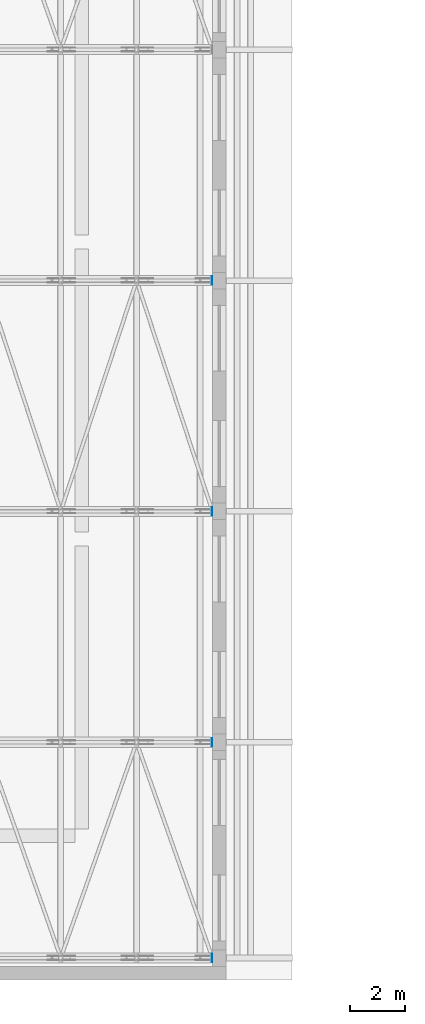
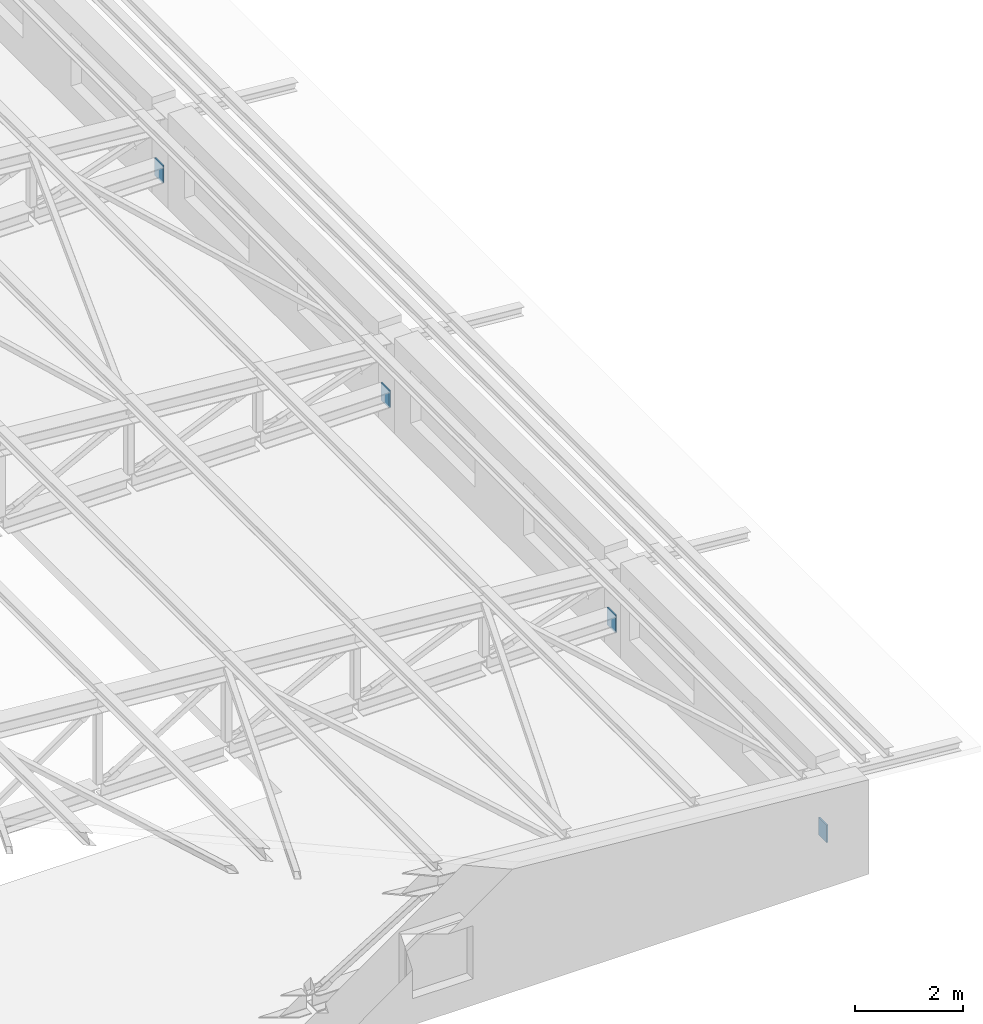
# One storey, part 36 of 60: 4 plates.
"""IFC4 building model written with IfcOpenShell, lengths in metres."""

from ifc_helpers import new_model, si_unit, direction, frame, origin, origin_2d, place, context, subcontext, project, spatial, rectangle, extrude, material, layer, layer_set, type_object, element, save


model = new_model("IFC4")

# Units and contexts
model_context = context("Model", 3, precision=1e-05, world=origin(), true_north=direction((0.0, 1.0)))
body_context = subcontext(model_context, "Body", "Model", "MODEL_VIEW")
ifc_project = project(units=[si_unit("LENGTHUNIT", "METRE"), si_unit("AREAUNIT", "SQUARE_METRE"), si_unit("VOLUMEUNIT", "CUBIC_METRE"), si_unit("PLANEANGLEUNIT", "RADIAN"), si_unit("MASSUNIT", "GRAM", prefix="KILO")], contexts=[model_context])

# Site, building, storey
site_placement = place(None, origin())
site = spatial("IfcSite", under=ifc_project, at=site_placement, CompositionType="ELEMENT")
building_placement = place(site_placement, origin())
building = spatial("IfcBuilding", under=site, at=building_placement, Name="Ljudholm Concert House", CompositionType="ELEMENT")
storey_placement = place(building_placement, frame((0.0, 0.0, 15.0)))
storey = spatial("IfcBuildingStorey", under=building, at=storey_placement, Name="L03", CompositionType="ELEMENT", Elevation=15.0)

# Plates
ifc_material = material(Name="Steel ASTM A36", Category="steel")
ifc_layer = layer(ifc_material, 0.030029296875)
ifc_layer_set = layer_set([ifc_layer], Name="Steel ASTM A36")
plate_type = type_object("IfcPlateType", Name="BEARING PLATE 30x300x400", PredefinedType="SHEET", material=ifc_layer_set)
for number, where, z_axis, x_axis, name in (
    (1, (45.735107421875, 4.550048828125, 0.5), (0.0, 0.0, 1.0), (1.0, 0.0, 0.0), "Truss sliding bearing plate"),
    (2, (45.735107421875, 12.39990234375, 0.5), (0.0, 0.0, 1.0), (1.0, 0.0, 0.0), "Truss sliding bearing plate"),
    (3, (45.735107421875, 20.800048828125, 0.5), (0.0, 0.0, 1.0), (1.0, 0.0, 0.0), "Truss sliding bearing plate"),
    (4, (45.735107421875, 29.199951171875, 0.5), (0.0, 0.0, 1.0), (1.0, 0.0, 0.0), "Truss sliding bearing plate"),
):
    element("IfcPlate", number, at=place(storey_placement, frame(where, z_axis=z_axis, x_axis=x_axis)), inside=storey, type_object=plate_type, Name=name, PredefinedType="SHEET", context=body_context, shape_type="SweptSolid", body=[
        extrude(rectangle(XDim=0.030029296875, YDim=0.300048828125, at=origin_2d()), origin(), (0.0, 0.0, 1.0), 0.39990234375),
    ])

save(model, "model.ifc")
